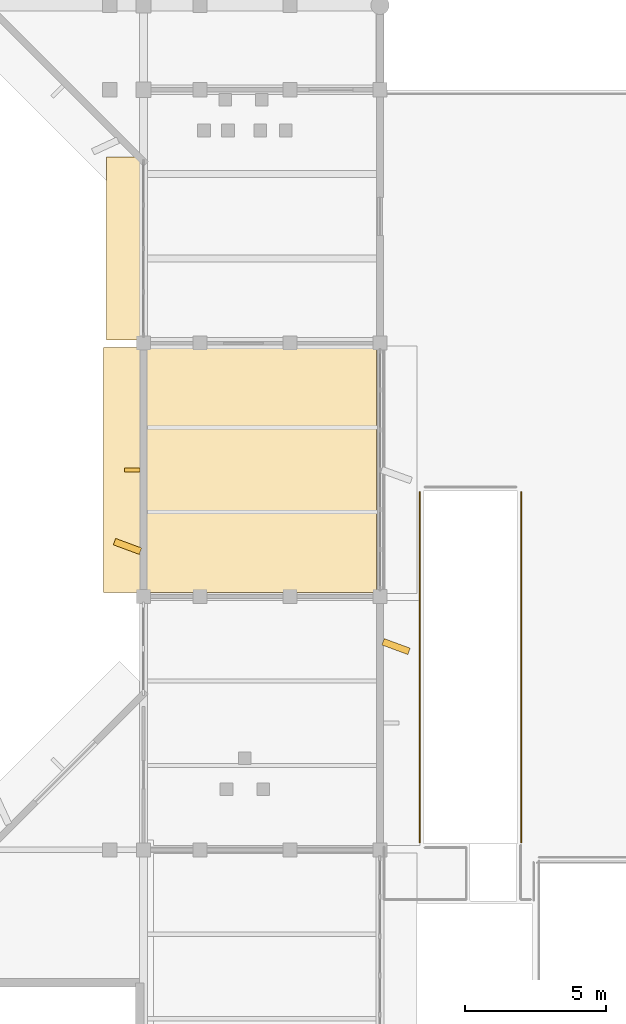
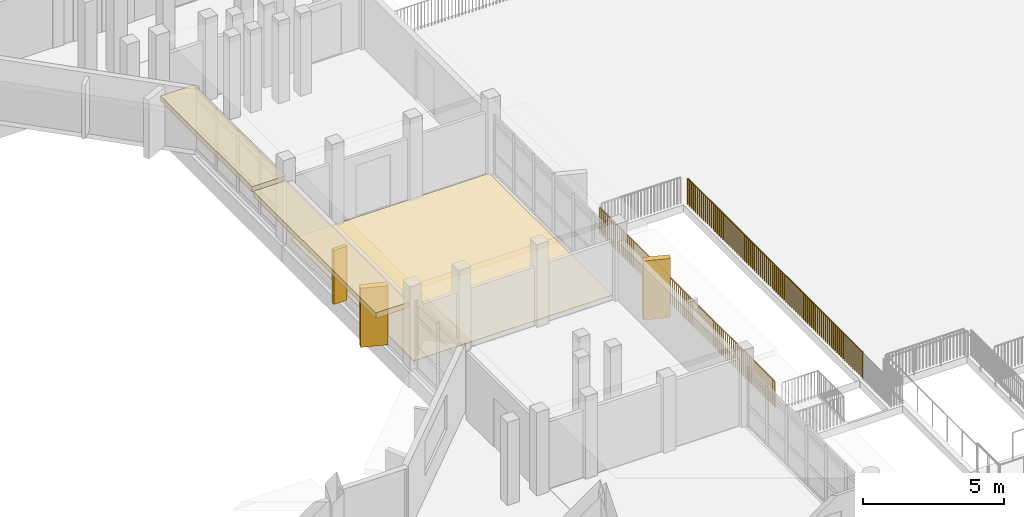
# One storey, part 79 of 92: 5 coverings, 2 railings, 1 shading device.
"""IFC4 building model written with IfcOpenShell, lengths in metres."""

from ifc_helpers import new_model, si_unit, direction, frame, origin, origin_2d, place, context, subcontext, project, spatial, polyline, rectangle, circle, outline, extrude, material, layer, layer_set, type_object, element, save


model = new_model("IFC4")

# Units and contexts
model_context = context("Model", 3, precision=1e-05, world=origin(), true_north=direction((0.0, 1.0)))
body_context = subcontext(model_context, "Body", "Model", "MODEL_VIEW")
ifc_project = project(units=[si_unit("LENGTHUNIT", "METRE"), si_unit("AREAUNIT", "SQUARE_METRE"), si_unit("VOLUMEUNIT", "CUBIC_METRE"), si_unit("PLANEANGLEUNIT", "RADIAN"), si_unit("MASSUNIT", "GRAM", prefix="KILO")], contexts=[model_context])

# Site, building, storey
site_placement = place(None, origin())
site = spatial("IfcSite", under=ifc_project, at=site_placement, CompositionType="ELEMENT")
building_placement = place(site_placement, origin())
building = spatial("IfcBuilding", under=site, at=building_placement, Name="Vanh Quang Courtyard School", CompositionType="ELEMENT")
storey_placement = place(building_placement, frame((0.0, 0.0, 7.800048828125)))
storey = spatial("IfcBuildingStorey", under=building, at=storey_placement, Name="L02", CompositionType="ELEMENT", Elevation=7.800048828125)

# Coverings
ifc_material_1 = material(Name="Polished cementitious terrazzo tile", Category="concrete")
ifc_layer_1 = layer(ifc_material_1, 0.02001953125)
ifc_layer_set_1 = layer_set([ifc_layer_1], Name="Polished cementitious terrazzo tile")
covering_type_1 = type_object("IfcCoveringType", Name="COV-FLR-TERRAZZO", PredefinedType="FLOORING", material=ifc_layer_set_1)
covering_1_placement = place(storey_placement, origin())
element("IfcCovering", 1, at=covering_1_placement, inside=storey, type_object=covering_type_1, Name="Covering CV-FL1 (L02)", PredefinedType="FLOORING", context=body_context, shape_type="SweptSolid", body=[
    extrude(outline(polyline([(111.139892578125, 50.550048828125), (111.138916015625, 50.550048828125), (111.137939453125, 50.55029296875), (111.13720703125, 50.55029296875), (111.13623046875, 50.55078125), (111.13525390625, 50.55126953125), (111.134521484375, 50.5517578125), (111.1337890625, 50.55224609375), (111.1328125, 50.552978515625), (111.13232421875, 50.5537109375), (111.131591796875, 50.554443359375), (111.131103515625, 50.555419921875), (111.130859375, 50.55615234375), (111.13037109375, 50.55712890625), (111.130126953125, 50.55810546875), (111.1298828125, 50.55908203125), (111.1298828125, 50.56005859375), (111.1298828125, 59.260009765625), (111.1298828125, 59.260986328125), (111.130126953125, 59.261962890625), (111.13037109375, 59.262939453125), (111.130859375, 59.263916015625), (111.131103515625, 59.2646484375), (111.131591796875, 59.265625), (111.13232421875, 59.266357421875), (111.1328125, 59.26708984375), (111.1337890625, 59.267578125), (111.134521484375, 59.268310546875), (111.13525390625, 59.268798828125), (111.13623046875, 59.269287109375), (111.13720703125, 59.26953125), (111.137939453125, 59.269775390625), (111.138916015625, 59.27001953125), (111.139892578125, 59.27001953125), (119.260009765625, 59.27001953125), (119.260986328125, 59.27001953125), (119.261962890625, 59.269775390625), (119.262939453125, 59.26953125), (119.263916015625, 59.269287109375), (119.2646484375, 59.268798828125), (119.265625, 59.268310546875), (119.266357421875, 59.267578125), (119.26708984375, 59.26708984375), (119.267578125, 59.266357421875), (119.268310546875, 59.265625), (119.268798828125, 59.2646484375), (119.269287109375, 59.263916015625), (119.26953125, 59.262939453125), (119.269775390625, 59.261962890625), (119.27001953125, 59.260986328125), (119.27001953125, 59.260009765625), (119.27001953125, 50.56005859375), (119.27001953125, 50.55908203125), (119.269775390625, 50.55810546875), (119.26953125, 50.55712890625), (119.269287109375, 50.55615234375), (119.268798828125, 50.555419921875), (119.268310546875, 50.554443359375), (119.267578125, 50.5537109375), (119.26708984375, 50.552978515625), (119.266357421875, 50.55224609375), (119.265625, 50.5517578125), (119.2646484375, 50.55126953125), (119.263916015625, 50.55078125), (119.262939453125, 50.55029296875), (119.261962890625, 50.55029296875), (119.260986328125, 50.550048828125), (119.260009765625, 50.550048828125), (111.139892578125, 50.550048828125)])), origin(), (0.0, 0.0, 1.0), 0.02001953125),
])
ifc_material_2 = material(Name="Board-marked precast concrete C40/50", Category="concrete")
ifc_layer_2 = layer(ifc_material_2, 0.239990234375)
ifc_layer_set_2 = layer_set([ifc_layer_2], Name="Board-marked precast concrete C40/50")
covering_type_2 = type_object("IfcCoveringType", Name="COV-HOOD-CONC", PredefinedType="CLADDING", material=ifc_layer_set_2)
covering_2_placement = place(storey_placement, frame((119.969970703125, 48.621337890625, 0.0), z_axis=(0.0, 0.0, 1.0), x_axis=(0.938009980858, -0.346608245445, 0.0)))
element("IfcCovering", 2, at=covering_2_placement, inside=storey, type_object=covering_type_2, Name="Covering CH-01 (L02)", PredefinedType="CLADDING", context=body_context, shape_type="SweptSolid", body=[
    extrude(rectangle(XDim=0.980712890625, YDim=0.239990234375, at=origin_2d()), origin(), (0.0, 0.0, 1.0), 2.56005859375),
])
covering_3_placement = place(storey_placement, frame((110.260009765625, 54.89990234375, 2.39990234375), z_axis=(0.0, 0.0, 1.0), x_axis=(0.0, 1.0, 0.0)))
element("IfcCovering", 3, at=covering_3_placement, inside=storey, type_object=covering_type_2, Name="Covering CH-01 (L02)", PredefinedType="CLADDING", context=body_context, shape_type="SweptSolid", body=[
    extrude(rectangle(XDim=8.7041015625, YDim=1.35009765625, at=origin_2d()), origin(), (0.0, 0.0, 1.0), 0.239990234375),
])
covering_4_placement = place(storey_placement, frame((110.429931640625, 52.1787109375, 0.0), z_axis=(0.0, 0.0, 1.0), x_axis=(-0.938009980858, 0.346608245445, 0.0)))
element("IfcCovering", 4, at=covering_4_placement, inside=storey, type_object=covering_type_2, Name="Covering CH-01 (L02)", PredefinedType="CLADDING", context=body_context, shape_type="SweptSolid", body=[
    extrude(rectangle(XDim=0.980712890625, YDim=0.239990234375, at=origin_2d()), origin(), (0.0, 0.0, 1.0), 2.56005859375),
])
covering_5_placement = place(storey_placement, frame((110.3798828125, 62.757080078125, 2.39990234375), z_axis=(0.0, 0.0, 1.0), x_axis=(0.0, 1.0, 0.0)))
element("IfcCovering", 5, at=covering_5_placement, inside=storey, type_object=covering_type_2, Name="Covering CH-01 (L02)", PredefinedType="CLADDING", context=body_context, shape_type="SweptSolid", body=[
    extrude(rectangle(XDim=6.498046875, YDim=1.39990234375, at=origin_2d()), origin(), (0.0, 0.0, 1.0), 0.239990234375),
])

# Railings
ifc_material_3 = material(Name="Galvanised painted steel EN 10025-2 S355J2", Category="steel")
railing_type = type_object("IfcRailingType", Name="RAIL-GUARD-1150", PredefinedType="BALUSTRADE", material=ifc_material_3)
railing_1_placement = place(storey_placement, frame((124.419921875, 41.669921875, 0.0)))
element("IfcRailing", 6, at=railing_1_placement, inside=storey, type_object=railing_type, Name="Railing GR-01 (L02)", PredefinedType="BALUSTRADE", context=body_context, shape_type="SweptSolid", body=[
    extrude(circle(Radius=0.02392578125, at=origin_2d()), frame((0.0, 0.0, 1.1259765625), z_axis=(0.0, 1.0, 0.0), x_axis=(-1.0, 0.0, 0.0)), (0.0, 0.0, 1.0), 12.43017578125),
    extrude(circle(Radius=0.02099609375, at=origin_2d()), origin(), (0.0, 0.0, 1.0), 1.101806640625),
    extrude(circle(Radius=0.02099609375, at=origin_2d()), frame((0.0, 0.1396484375, 0.0)), (0.0, 0.0, 1.0), 1.101806640625),
    extrude(circle(Radius=0.02099609375, at=origin_2d()), frame((0.0, 0.279296875, 0.0)), (0.0, 0.0, 1.0), 1.101806640625),
    extrude(circle(Radius=0.02099609375, at=origin_2d()), frame((0.0, 0.4189453125, 0.0)), (0.0, 0.0, 1.0), 1.101806640625),
    extrude(circle(Radius=0.02099609375, at=origin_2d()), frame((0.0, 0.55859375, 0.0)), (0.0, 0.0, 1.0), 1.101806640625),
    extrude(circle(Radius=0.02099609375, at=origin_2d()), frame((0.0, 0.6982421875, 0.0)), (0.0, 0.0, 1.0), 1.101806640625),
    extrude(circle(Radius=0.02099609375, at=origin_2d()), frame((0.0, 0.837890625, 0.0)), (0.0, 0.0, 1.0), 1.101806640625),
    extrude(circle(Radius=0.02099609375, at=origin_2d()), frame((0.0, 0.9775390625, 0.0)), (0.0, 0.0, 1.0), 1.101806640625),
    extrude(circle(Radius=0.02099609375, at=origin_2d()), frame((0.0, 1.117431640625, 0.0)), (0.0, 0.0, 1.0), 1.101806640625),
    extrude(circle(Radius=0.02099609375, at=origin_2d()), frame((0.0, 1.257080078125, 0.0)), (0.0, 0.0, 1.0), 1.101806640625),
    extrude(circle(Radius=0.02099609375, at=origin_2d()), frame((0.0, 1.396728515625, 0.0)), (0.0, 0.0, 1.0), 1.101806640625),
    extrude(circle(Radius=0.02099609375, at=origin_2d()), frame((0.0, 1.536376953125, 0.0)), (0.0, 0.0, 1.0), 1.101806640625),
    extrude(circle(Radius=0.02099609375, at=origin_2d()), frame((0.0, 1.676025390625, 0.0)), (0.0, 0.0, 1.0), 1.101806640625),
    extrude(circle(Radius=0.02099609375, at=origin_2d()), frame((0.0, 1.815673828125, 0.0)), (0.0, 0.0, 1.0), 1.101806640625),
    extrude(circle(Radius=0.02099609375, at=origin_2d()), frame((0.0, 1.955322265625, 0.0)), (0.0, 0.0, 1.0), 1.101806640625),
    extrude(circle(Radius=0.02099609375, at=origin_2d()), frame((0.0, 2.094970703125, 0.0)), (0.0, 0.0, 1.0), 1.101806640625),
    extrude(circle(Radius=0.02099609375, at=origin_2d()), frame((0.0, 2.234619140625, 0.0)), (0.0, 0.0, 1.0), 1.101806640625),
    extrude(circle(Radius=0.02099609375, at=origin_2d()), frame((0.0, 2.374267578125, 0.0)), (0.0, 0.0, 1.0), 1.101806640625),
    extrude(circle(Radius=0.02099609375, at=origin_2d()), frame((0.0, 2.513916015625, 0.0)), (0.0, 0.0, 1.0), 1.101806640625),
    extrude(circle(Radius=0.02099609375, at=origin_2d()), frame((0.0, 2.653564453125, 0.0)), (0.0, 0.0, 1.0), 1.101806640625),
    extrude(circle(Radius=0.02099609375, at=origin_2d()), frame((0.0, 2.793212890625, 0.0)), (0.0, 0.0, 1.0), 1.101806640625),
    extrude(circle(Radius=0.02099609375, at=origin_2d()), frame((0.0, 2.932861328125, 0.0)), (0.0, 0.0, 1.0), 1.101806640625),
    extrude(circle(Radius=0.02099609375, at=origin_2d()), frame((0.0, 3.072509765625, 0.0)), (0.0, 0.0, 1.0), 1.101806640625),
    extrude(circle(Radius=0.02099609375, at=origin_2d()), frame((0.0, 3.21240234375, 0.0)), (0.0, 0.0, 1.0), 1.101806640625),
    extrude(circle(Radius=0.02099609375, at=origin_2d()), frame((0.0, 3.35205078125, 0.0)), (0.0, 0.0, 1.0), 1.101806640625),
    extrude(circle(Radius=0.02099609375, at=origin_2d()), frame((0.0, 3.49169921875, 0.0)), (0.0, 0.0, 1.0), 1.101806640625),
    extrude(circle(Radius=0.02099609375, at=origin_2d()), frame((0.0, 3.63134765625, 0.0)), (0.0, 0.0, 1.0), 1.101806640625),
    extrude(circle(Radius=0.02099609375, at=origin_2d()), frame((0.0, 3.77099609375, 0.0)), (0.0, 0.0, 1.0), 1.101806640625),
    extrude(circle(Radius=0.02099609375, at=origin_2d()), frame((0.0, 3.91064453125, 0.0)), (0.0, 0.0, 1.0), 1.101806640625),
    extrude(circle(Radius=0.02099609375, at=origin_2d()), frame((0.0, 4.05029296875, 0.0)), (0.0, 0.0, 1.0), 1.101806640625),
    extrude(circle(Radius=0.02099609375, at=origin_2d()), frame((0.0, 4.18994140625, 0.0)), (0.0, 0.0, 1.0), 1.101806640625),
    extrude(circle(Radius=0.02099609375, at=origin_2d()), frame((0.0, 4.32958984375, 0.0)), (0.0, 0.0, 1.0), 1.101806640625),
    extrude(circle(Radius=0.02099609375, at=origin_2d()), frame((0.0, 4.46923828125, 0.0)), (0.0, 0.0, 1.0), 1.101806640625),
    extrude(circle(Radius=0.02099609375, at=origin_2d()), frame((0.0, 4.60888671875, 0.0)), (0.0, 0.0, 1.0), 1.101806640625),
    extrude(circle(Radius=0.02099609375, at=origin_2d()), frame((0.0, 4.74853515625, 0.0)), (0.0, 0.0, 1.0), 1.101806640625),
    extrude(circle(Radius=0.02099609375, at=origin_2d()), frame((0.0, 4.88818359375, 0.0)), (0.0, 0.0, 1.0), 1.101806640625),
    extrude(circle(Radius=0.02099609375, at=origin_2d()), frame((0.0, 5.02783203125, 0.0)), (0.0, 0.0, 1.0), 1.101806640625),
    extrude(circle(Radius=0.02099609375, at=origin_2d()), frame((0.0, 5.16748046875, 0.0)), (0.0, 0.0, 1.0), 1.101806640625),
    extrude(circle(Radius=0.02099609375, at=origin_2d()), frame((0.0, 5.307373046875, 0.0)), (0.0, 0.0, 1.0), 1.101806640625),
    extrude(circle(Radius=0.02099609375, at=origin_2d()), frame((0.0, 5.447021484375, 0.0)), (0.0, 0.0, 1.0), 1.101806640625),
    extrude(circle(Radius=0.02099609375, at=origin_2d()), frame((0.0, 5.586669921875, 0.0)), (0.0, 0.0, 1.0), 1.101806640625),
    extrude(circle(Radius=0.02099609375, at=origin_2d()), frame((0.0, 5.726318359375, 0.0)), (0.0, 0.0, 1.0), 1.101806640625),
    extrude(circle(Radius=0.02099609375, at=origin_2d()), frame((0.0, 5.865966796875, 0.0)), (0.0, 0.0, 1.0), 1.101806640625),
    extrude(circle(Radius=0.02099609375, at=origin_2d()), frame((0.0, 6.005615234375, 0.0)), (0.0, 0.0, 1.0), 1.101806640625),
    extrude(circle(Radius=0.02099609375, at=origin_2d()), frame((0.0, 6.145263671875, 0.0)), (0.0, 0.0, 1.0), 1.101806640625),
    extrude(circle(Radius=0.02099609375, at=origin_2d()), frame((0.0, 6.284912109375, 0.0)), (0.0, 0.0, 1.0), 1.101806640625),
    extrude(circle(Radius=0.02099609375, at=origin_2d()), frame((0.0, 6.424560546875, 0.0)), (0.0, 0.0, 1.0), 1.101806640625),
    extrude(circle(Radius=0.02099609375, at=origin_2d()), frame((0.0, 6.564208984375, 0.0)), (0.0, 0.0, 1.0), 1.101806640625),
    extrude(circle(Radius=0.02099609375, at=origin_2d()), frame((0.0, 6.703857421875, 0.0)), (0.0, 0.0, 1.0), 1.101806640625),
    extrude(circle(Radius=0.02099609375, at=origin_2d()), frame((0.0, 6.843505859375, 0.0)), (0.0, 0.0, 1.0), 1.101806640625),
    extrude(circle(Radius=0.02099609375, at=origin_2d()), frame((0.0, 6.983154296875, 0.0)), (0.0, 0.0, 1.0), 1.101806640625),
    extrude(circle(Radius=0.02099609375, at=origin_2d()), frame((0.0, 7.122802734375, 0.0)), (0.0, 0.0, 1.0), 1.101806640625),
    extrude(circle(Radius=0.02099609375, at=origin_2d()), frame((0.0, 7.2626953125, 0.0)), (0.0, 0.0, 1.0), 1.101806640625),
    extrude(circle(Radius=0.02099609375, at=origin_2d()), frame((0.0, 7.40234375, 0.0)), (0.0, 0.0, 1.0), 1.101806640625),
    extrude(circle(Radius=0.02099609375, at=origin_2d()), frame((0.0, 7.5419921875, 0.0)), (0.0, 0.0, 1.0), 1.101806640625),
    extrude(circle(Radius=0.02099609375, at=origin_2d()), frame((0.0, 7.681640625, 0.0)), (0.0, 0.0, 1.0), 1.101806640625),
    extrude(circle(Radius=0.02099609375, at=origin_2d()), frame((0.0, 7.8212890625, 0.0)), (0.0, 0.0, 1.0), 1.101806640625),
    extrude(circle(Radius=0.02099609375, at=origin_2d()), frame((0.0, 7.9609375, 0.0)), (0.0, 0.0, 1.0), 1.101806640625),
    extrude(circle(Radius=0.02099609375, at=origin_2d()), frame((0.0, 8.1005859375, 0.0)), (0.0, 0.0, 1.0), 1.101806640625),
    extrude(circle(Radius=0.02099609375, at=origin_2d()), frame((0.0, 8.240234375, 0.0)), (0.0, 0.0, 1.0), 1.101806640625),
    extrude(circle(Radius=0.02099609375, at=origin_2d()), frame((0.0, 8.3798828125, 0.0)), (0.0, 0.0, 1.0), 1.101806640625),
    extrude(circle(Radius=0.02099609375, at=origin_2d()), frame((0.0, 8.51953125, 0.0)), (0.0, 0.0, 1.0), 1.101806640625),
    extrude(circle(Radius=0.02099609375, at=origin_2d()), frame((0.0, 8.6591796875, 0.0)), (0.0, 0.0, 1.0), 1.101806640625),
    extrude(circle(Radius=0.02099609375, at=origin_2d()), frame((0.0, 8.798828125, 0.0)), (0.0, 0.0, 1.0), 1.101806640625),
    extrude(circle(Radius=0.02099609375, at=origin_2d()), frame((0.0, 8.9384765625, 0.0)), (0.0, 0.0, 1.0), 1.101806640625),
    extrude(circle(Radius=0.02099609375, at=origin_2d()), frame((0.0, 9.078125, 0.0)), (0.0, 0.0, 1.0), 1.101806640625),
    extrude(circle(Radius=0.02099609375, at=origin_2d()), frame((0.0, 9.2177734375, 0.0)), (0.0, 0.0, 1.0), 1.101806640625),
    extrude(circle(Radius=0.02099609375, at=origin_2d()), frame((0.0, 9.357666015625, 0.0)), (0.0, 0.0, 1.0), 1.101806640625),
    extrude(circle(Radius=0.02099609375, at=origin_2d()), frame((0.0, 9.497314453125, 0.0)), (0.0, 0.0, 1.0), 1.101806640625),
    extrude(circle(Radius=0.02099609375, at=origin_2d()), frame((0.0, 9.636962890625, 0.0)), (0.0, 0.0, 1.0), 1.101806640625),
    extrude(circle(Radius=0.02099609375, at=origin_2d()), frame((0.0, 9.776611328125, 0.0)), (0.0, 0.0, 1.0), 1.101806640625),
    extrude(circle(Radius=0.02099609375, at=origin_2d()), frame((0.0, 9.916259765625, 0.0)), (0.0, 0.0, 1.0), 1.101806640625),
    extrude(circle(Radius=0.02099609375, at=origin_2d()), frame((0.0, 10.055908203125, 0.0)), (0.0, 0.0, 1.0), 1.101806640625),
    extrude(circle(Radius=0.02099609375, at=origin_2d()), frame((0.0, 10.195556640625, 0.0)), (0.0, 0.0, 1.0), 1.101806640625),
    extrude(circle(Radius=0.02099609375, at=origin_2d()), frame((0.0, 10.335205078125, 0.0)), (0.0, 0.0, 1.0), 1.101806640625),
    extrude(circle(Radius=0.02099609375, at=origin_2d()), frame((0.0, 10.474853515625, 0.0)), (0.0, 0.0, 1.0), 1.101806640625),
    extrude(circle(Radius=0.02099609375, at=origin_2d()), frame((0.0, 10.614501953125, 0.0)), (0.0, 0.0, 1.0), 1.101806640625),
    extrude(circle(Radius=0.02099609375, at=origin_2d()), frame((0.0, 10.754150390625, 0.0)), (0.0, 0.0, 1.0), 1.101806640625),
    extrude(circle(Radius=0.02099609375, at=origin_2d()), frame((0.0, 10.893798828125, 0.0)), (0.0, 0.0, 1.0), 1.101806640625),
    extrude(circle(Radius=0.02099609375, at=origin_2d()), frame((0.0, 11.033447265625, 0.0)), (0.0, 0.0, 1.0), 1.101806640625),
    extrude(circle(Radius=0.02099609375, at=origin_2d()), frame((0.0, 11.173095703125, 0.0)), (0.0, 0.0, 1.0), 1.101806640625),
    extrude(circle(Radius=0.02099609375, at=origin_2d()), frame((0.0, 11.312744140625, 0.0)), (0.0, 0.0, 1.0), 1.101806640625),
    extrude(circle(Radius=0.02099609375, at=origin_2d()), frame((0.0, 11.45263671875, 0.0)), (0.0, 0.0, 1.0), 1.101806640625),
    extrude(circle(Radius=0.02099609375, at=origin_2d()), frame((0.0, 11.59228515625, 0.0)), (0.0, 0.0, 1.0), 1.101806640625),
    extrude(circle(Radius=0.02099609375, at=origin_2d()), frame((0.0, 11.73193359375, 0.0)), (0.0, 0.0, 1.0), 1.101806640625),
    extrude(circle(Radius=0.02099609375, at=origin_2d()), frame((0.0, 11.87158203125, 0.0)), (0.0, 0.0, 1.0), 1.101806640625),
    extrude(circle(Radius=0.02099609375, at=origin_2d()), frame((0.0, 12.01123046875, 0.0)), (0.0, 0.0, 1.0), 1.101806640625),
    extrude(circle(Radius=0.02099609375, at=origin_2d()), frame((0.0, 12.15087890625, 0.0)), (0.0, 0.0, 1.0), 1.101806640625),
    extrude(circle(Radius=0.02099609375, at=origin_2d()), frame((0.0, 12.29052734375, 0.0)), (0.0, 0.0, 1.0), 1.101806640625),
    extrude(circle(Radius=0.02099609375, at=origin_2d()), frame((0.0, 12.43017578125, 0.0)), (0.0, 0.0, 1.0), 1.101806640625),
])
railing_2_placement = place(storey_placement, frame((120.81005859375, 54.10009765625, 0.0)))
element("IfcRailing", 7, at=railing_2_placement, inside=storey, type_object=railing_type, Name="Railing GR-01 (L02)", PredefinedType="BALUSTRADE", context=body_context, shape_type="SweptSolid", body=[
    extrude(circle(Radius=0.02392578125, at=origin_2d()), frame((0.0, 0.0, 1.1259765625), z_axis=(0.0, -1.0, 0.0), x_axis=(1.0, 0.0, 0.0)), (0.0, 0.0, 1.0), 12.43017578125),
    extrude(circle(Radius=0.02099609375, at=origin_2d()), origin(), (0.0, 0.0, 1.0), 1.101806640625),
    extrude(circle(Radius=0.02099609375, at=origin_2d()), frame((0.0, -0.1396484375, 0.0)), (0.0, 0.0, 1.0), 1.101806640625),
    extrude(circle(Radius=0.02099609375, at=origin_2d()), frame((0.0, -0.279296875, 0.0)), (0.0, 0.0, 1.0), 1.101806640625),
    extrude(circle(Radius=0.02099609375, at=origin_2d()), frame((0.0, -0.4189453125, 0.0)), (0.0, 0.0, 1.0), 1.101806640625),
    extrude(circle(Radius=0.02099609375, at=origin_2d()), frame((0.0, -0.55859375, 0.0)), (0.0, 0.0, 1.0), 1.101806640625),
    extrude(circle(Radius=0.02099609375, at=origin_2d()), frame((0.0, -0.6982421875, 0.0)), (0.0, 0.0, 1.0), 1.101806640625),
    extrude(circle(Radius=0.02099609375, at=origin_2d()), frame((0.0, -0.837890625, 0.0)), (0.0, 0.0, 1.0), 1.101806640625),
    extrude(circle(Radius=0.02099609375, at=origin_2d()), frame((0.0, -0.9775390625, 0.0)), (0.0, 0.0, 1.0), 1.101806640625),
    extrude(circle(Radius=0.02099609375, at=origin_2d()), frame((0.0, -1.117431640625, 0.0)), (0.0, 0.0, 1.0), 1.101806640625),
    extrude(circle(Radius=0.02099609375, at=origin_2d()), frame((0.0, -1.257080078125, 0.0)), (0.0, 0.0, 1.0), 1.101806640625),
    extrude(circle(Radius=0.02099609375, at=origin_2d()), frame((0.0, -1.396728515625, 0.0)), (0.0, 0.0, 1.0), 1.101806640625),
    extrude(circle(Radius=0.02099609375, at=origin_2d()), frame((0.0, -1.536376953125, 0.0)), (0.0, 0.0, 1.0), 1.101806640625),
    extrude(circle(Radius=0.02099609375, at=origin_2d()), frame((0.0, -1.676025390625, 0.0)), (0.0, 0.0, 1.0), 1.101806640625),
    extrude(circle(Radius=0.02099609375, at=origin_2d()), frame((0.0, -1.815673828125, 0.0)), (0.0, 0.0, 1.0), 1.101806640625),
    extrude(circle(Radius=0.02099609375, at=origin_2d()), frame((0.0, -1.955322265625, 0.0)), (0.0, 0.0, 1.0), 1.101806640625),
    extrude(circle(Radius=0.02099609375, at=origin_2d()), frame((0.0, -2.094970703125, 0.0)), (0.0, 0.0, 1.0), 1.101806640625),
    extrude(circle(Radius=0.02099609375, at=origin_2d()), frame((0.0, -2.234619140625, 0.0)), (0.0, 0.0, 1.0), 1.101806640625),
    extrude(circle(Radius=0.02099609375, at=origin_2d()), frame((0.0, -2.374267578125, 0.0)), (0.0, 0.0, 1.0), 1.101806640625),
    extrude(circle(Radius=0.02099609375, at=origin_2d()), frame((0.0, -2.513916015625, 0.0)), (0.0, 0.0, 1.0), 1.101806640625),
    extrude(circle(Radius=0.02099609375, at=origin_2d()), frame((0.0, -2.653564453125, 0.0)), (0.0, 0.0, 1.0), 1.101806640625),
    extrude(circle(Radius=0.02099609375, at=origin_2d()), frame((0.0, -2.793212890625, 0.0)), (0.0, 0.0, 1.0), 1.101806640625),
    extrude(circle(Radius=0.02099609375, at=origin_2d()), frame((0.0, -2.932861328125, 0.0)), (0.0, 0.0, 1.0), 1.101806640625),
    extrude(circle(Radius=0.02099609375, at=origin_2d()), frame((0.0, -3.072509765625, 0.0)), (0.0, 0.0, 1.0), 1.101806640625),
    extrude(circle(Radius=0.02099609375, at=origin_2d()), frame((0.0, -3.21240234375, 0.0)), (0.0, 0.0, 1.0), 1.101806640625),
    extrude(circle(Radius=0.02099609375, at=origin_2d()), frame((0.0, -3.35205078125, 0.0)), (0.0, 0.0, 1.0), 1.101806640625),
    extrude(circle(Radius=0.02099609375, at=origin_2d()), frame((0.0, -3.49169921875, 0.0)), (0.0, 0.0, 1.0), 1.101806640625),
    extrude(circle(Radius=0.02099609375, at=origin_2d()), frame((0.0, -3.63134765625, 0.0)), (0.0, 0.0, 1.0), 1.101806640625),
    extrude(circle(Radius=0.02099609375, at=origin_2d()), frame((0.0, -3.77099609375, 0.0)), (0.0, 0.0, 1.0), 1.101806640625),
    extrude(circle(Radius=0.02099609375, at=origin_2d()), frame((0.0, -3.91064453125, 0.0)), (0.0, 0.0, 1.0), 1.101806640625),
    extrude(circle(Radius=0.02099609375, at=origin_2d()), frame((0.0, -4.05029296875, 0.0)), (0.0, 0.0, 1.0), 1.101806640625),
    extrude(circle(Radius=0.02099609375, at=origin_2d()), frame((0.0, -4.18994140625, 0.0)), (0.0, 0.0, 1.0), 1.101806640625),
    extrude(circle(Radius=0.02099609375, at=origin_2d()), frame((0.0, -4.32958984375, 0.0)), (0.0, 0.0, 1.0), 1.101806640625),
    extrude(circle(Radius=0.02099609375, at=origin_2d()), frame((0.0, -4.46923828125, 0.0)), (0.0, 0.0, 1.0), 1.101806640625),
    extrude(circle(Radius=0.02099609375, at=origin_2d()), frame((0.0, -4.60888671875, 0.0)), (0.0, 0.0, 1.0), 1.101806640625),
    extrude(circle(Radius=0.02099609375, at=origin_2d()), frame((0.0, -4.74853515625, 0.0)), (0.0, 0.0, 1.0), 1.101806640625),
    extrude(circle(Radius=0.02099609375, at=origin_2d()), frame((0.0, -4.88818359375, 0.0)), (0.0, 0.0, 1.0), 1.101806640625),
    extrude(circle(Radius=0.02099609375, at=origin_2d()), frame((0.0, -5.02783203125, 0.0)), (0.0, 0.0, 1.0), 1.101806640625),
    extrude(circle(Radius=0.02099609375, at=origin_2d()), frame((0.0, -5.16748046875, 0.0)), (0.0, 0.0, 1.0), 1.101806640625),
    extrude(circle(Radius=0.02099609375, at=origin_2d()), frame((0.0, -5.307373046875, 0.0)), (0.0, 0.0, 1.0), 1.101806640625),
    extrude(circle(Radius=0.02099609375, at=origin_2d()), frame((0.0, -5.447021484375, 0.0)), (0.0, 0.0, 1.0), 1.101806640625),
    extrude(circle(Radius=0.02099609375, at=origin_2d()), frame((0.0, -5.586669921875, 0.0)), (0.0, 0.0, 1.0), 1.101806640625),
    extrude(circle(Radius=0.02099609375, at=origin_2d()), frame((0.0, -5.726318359375, 0.0)), (0.0, 0.0, 1.0), 1.101806640625),
    extrude(circle(Radius=0.02099609375, at=origin_2d()), frame((0.0, -5.865966796875, 0.0)), (0.0, 0.0, 1.0), 1.101806640625),
    extrude(circle(Radius=0.02099609375, at=origin_2d()), frame((0.0, -6.005615234375, 0.0)), (0.0, 0.0, 1.0), 1.101806640625),
    extrude(circle(Radius=0.02099609375, at=origin_2d()), frame((0.0, -6.145263671875, 0.0)), (0.0, 0.0, 1.0), 1.101806640625),
    extrude(circle(Radius=0.02099609375, at=origin_2d()), frame((0.0, -6.284912109375, 0.0)), (0.0, 0.0, 1.0), 1.101806640625),
    extrude(circle(Radius=0.02099609375, at=origin_2d()), frame((0.0, -6.424560546875, 0.0)), (0.0, 0.0, 1.0), 1.101806640625),
    extrude(circle(Radius=0.02099609375, at=origin_2d()), frame((0.0, -6.564208984375, 0.0)), (0.0, 0.0, 1.0), 1.101806640625),
    extrude(circle(Radius=0.02099609375, at=origin_2d()), frame((0.0, -6.703857421875, 0.0)), (0.0, 0.0, 1.0), 1.101806640625),
    extrude(circle(Radius=0.02099609375, at=origin_2d()), frame((0.0, -6.843505859375, 0.0)), (0.0, 0.0, 1.0), 1.101806640625),
    extrude(circle(Radius=0.02099609375, at=origin_2d()), frame((0.0, -6.983154296875, 0.0)), (0.0, 0.0, 1.0), 1.101806640625),
    extrude(circle(Radius=0.02099609375, at=origin_2d()), frame((0.0, -7.122802734375, 0.0)), (0.0, 0.0, 1.0), 1.101806640625),
    extrude(circle(Radius=0.02099609375, at=origin_2d()), frame((0.0, -7.2626953125, 0.0)), (0.0, 0.0, 1.0), 1.101806640625),
    extrude(circle(Radius=0.02099609375, at=origin_2d()), frame((0.0, -7.40234375, 0.0)), (0.0, 0.0, 1.0), 1.101806640625),
    extrude(circle(Radius=0.02099609375, at=origin_2d()), frame((0.0, -7.5419921875, 0.0)), (0.0, 0.0, 1.0), 1.101806640625),
    extrude(circle(Radius=0.02099609375, at=origin_2d()), frame((0.0, -7.681640625, 0.0)), (0.0, 0.0, 1.0), 1.101806640625),
    extrude(circle(Radius=0.02099609375, at=origin_2d()), frame((0.0, -7.8212890625, 0.0)), (0.0, 0.0, 1.0), 1.101806640625),
    extrude(circle(Radius=0.02099609375, at=origin_2d()), frame((0.0, -7.9609375, 0.0)), (0.0, 0.0, 1.0), 1.101806640625),
    extrude(circle(Radius=0.02099609375, at=origin_2d()), frame((0.0, -8.1005859375, 0.0)), (0.0, 0.0, 1.0), 1.101806640625),
    extrude(circle(Radius=0.02099609375, at=origin_2d()), frame((0.0, -8.240234375, 0.0)), (0.0, 0.0, 1.0), 1.101806640625),
    extrude(circle(Radius=0.02099609375, at=origin_2d()), frame((0.0, -8.3798828125, 0.0)), (0.0, 0.0, 1.0), 1.101806640625),
    extrude(circle(Radius=0.02099609375, at=origin_2d()), frame((0.0, -8.51953125, 0.0)), (0.0, 0.0, 1.0), 1.101806640625),
    extrude(circle(Radius=0.02099609375, at=origin_2d()), frame((0.0, -8.6591796875, 0.0)), (0.0, 0.0, 1.0), 1.101806640625),
    extrude(circle(Radius=0.02099609375, at=origin_2d()), frame((0.0, -8.798828125, 0.0)), (0.0, 0.0, 1.0), 1.101806640625),
    extrude(circle(Radius=0.02099609375, at=origin_2d()), frame((0.0, -8.9384765625, 0.0)), (0.0, 0.0, 1.0), 1.101806640625),
    extrude(circle(Radius=0.02099609375, at=origin_2d()), frame((0.0, -9.078125, 0.0)), (0.0, 0.0, 1.0), 1.101806640625),
    extrude(circle(Radius=0.02099609375, at=origin_2d()), frame((0.0, -9.2177734375, 0.0)), (0.0, 0.0, 1.0), 1.101806640625),
    extrude(circle(Radius=0.02099609375, at=origin_2d()), frame((0.0, -9.357666015625, 0.0)), (0.0, 0.0, 1.0), 1.101806640625),
    extrude(circle(Radius=0.02099609375, at=origin_2d()), frame((0.0, -9.497314453125, 0.0)), (0.0, 0.0, 1.0), 1.101806640625),
    extrude(circle(Radius=0.02099609375, at=origin_2d()), frame((0.0, -9.636962890625, 0.0)), (0.0, 0.0, 1.0), 1.101806640625),
    extrude(circle(Radius=0.02099609375, at=origin_2d()), frame((0.0, -9.776611328125, 0.0)), (0.0, 0.0, 1.0), 1.101806640625),
    extrude(circle(Radius=0.02099609375, at=origin_2d()), frame((0.0, -9.916259765625, 0.0)), (0.0, 0.0, 1.0), 1.101806640625),
    extrude(circle(Radius=0.02099609375, at=origin_2d()), frame((0.0, -10.055908203125, 0.0)), (0.0, 0.0, 1.0), 1.101806640625),
    extrude(circle(Radius=0.02099609375, at=origin_2d()), frame((0.0, -10.195556640625, 0.0)), (0.0, 0.0, 1.0), 1.101806640625),
    extrude(circle(Radius=0.02099609375, at=origin_2d()), frame((0.0, -10.335205078125, 0.0)), (0.0, 0.0, 1.0), 1.101806640625),
    extrude(circle(Radius=0.02099609375, at=origin_2d()), frame((0.0, -10.474853515625, 0.0)), (0.0, 0.0, 1.0), 1.101806640625),
    extrude(circle(Radius=0.02099609375, at=origin_2d()), frame((0.0, -10.614501953125, 0.0)), (0.0, 0.0, 1.0), 1.101806640625),
    extrude(circle(Radius=0.02099609375, at=origin_2d()), frame((0.0, -10.754150390625, 0.0)), (0.0, 0.0, 1.0), 1.101806640625),
    extrude(circle(Radius=0.02099609375, at=origin_2d()), frame((0.0, -10.893798828125, 0.0)), (0.0, 0.0, 1.0), 1.101806640625),
    extrude(circle(Radius=0.02099609375, at=origin_2d()), frame((0.0, -11.033447265625, 0.0)), (0.0, 0.0, 1.0), 1.101806640625),
    extrude(circle(Radius=0.02099609375, at=origin_2d()), frame((0.0, -11.173095703125, 0.0)), (0.0, 0.0, 1.0), 1.101806640625),
    extrude(circle(Radius=0.02099609375, at=origin_2d()), frame((0.0, -11.312744140625, 0.0)), (0.0, 0.0, 1.0), 1.101806640625),
    extrude(circle(Radius=0.02099609375, at=origin_2d()), frame((0.0, -11.45263671875, 0.0)), (0.0, 0.0, 1.0), 1.101806640625),
    extrude(circle(Radius=0.02099609375, at=origin_2d()), frame((0.0, -11.59228515625, 0.0)), (0.0, 0.0, 1.0), 1.101806640625),
    extrude(circle(Radius=0.02099609375, at=origin_2d()), frame((0.0, -11.73193359375, 0.0)), (0.0, 0.0, 1.0), 1.101806640625),
    extrude(circle(Radius=0.02099609375, at=origin_2d()), frame((0.0, -11.87158203125, 0.0)), (0.0, 0.0, 1.0), 1.101806640625),
    extrude(circle(Radius=0.02099609375, at=origin_2d()), frame((0.0, -12.01123046875, 0.0)), (0.0, 0.0, 1.0), 1.101806640625),
    extrude(circle(Radius=0.02099609375, at=origin_2d()), frame((0.0, -12.15087890625, 0.0)), (0.0, 0.0, 1.0), 1.101806640625),
    extrude(circle(Radius=0.02099609375, at=origin_2d()), frame((0.0, -12.29052734375, 0.0)), (0.0, 0.0, 1.0), 1.101806640625),
    extrude(circle(Radius=0.02099609375, at=origin_2d()), frame((0.0, -12.43017578125, 0.0)), (0.0, 0.0, 1.0), 1.101806640625),
])

# Shading device
shading_device_type = type_object("IfcShadingDeviceType", Name="SHD-FIN-CONCRETE", PredefinedType="USERDEFINED", material=ifc_material_2)
shading_device_placement = place(storey_placement, frame((110.60498046875, 54.89990234375, 0.14990234375), z_axis=(0.0, 0.0, 1.0), x_axis=(0.0, 1.0, 0.0)))
element("IfcShadingDevice", 8, at=shading_device_placement, inside=storey, type_object=shading_device_type, Name="Solar Shading SH-02 (L02)", ObjectType="Solar Shading SH-02 (L02)", PredefinedType="USERDEFINED", context=body_context, shape_type="SweptSolid", body=[
    extrude(rectangle(XDim=0.139892578125, YDim=0.550048828125, at=origin_2d()), origin(), (0.0, 0.0, 1.0), 2.340087890625),
])

save(model, "model.ifc")
